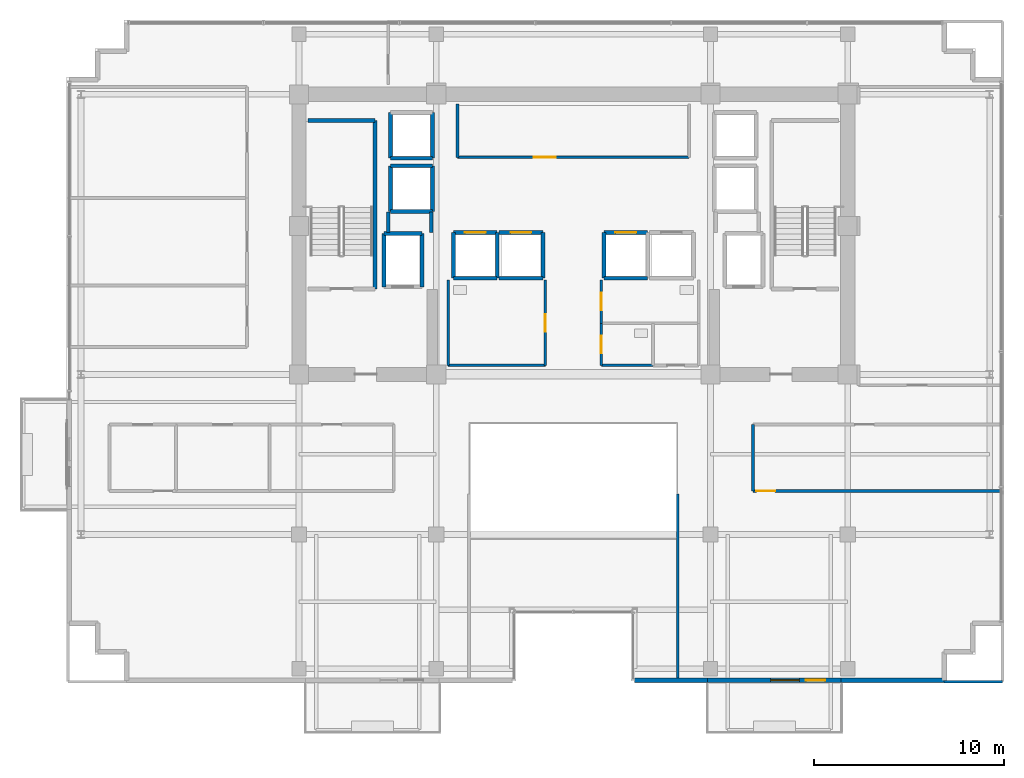
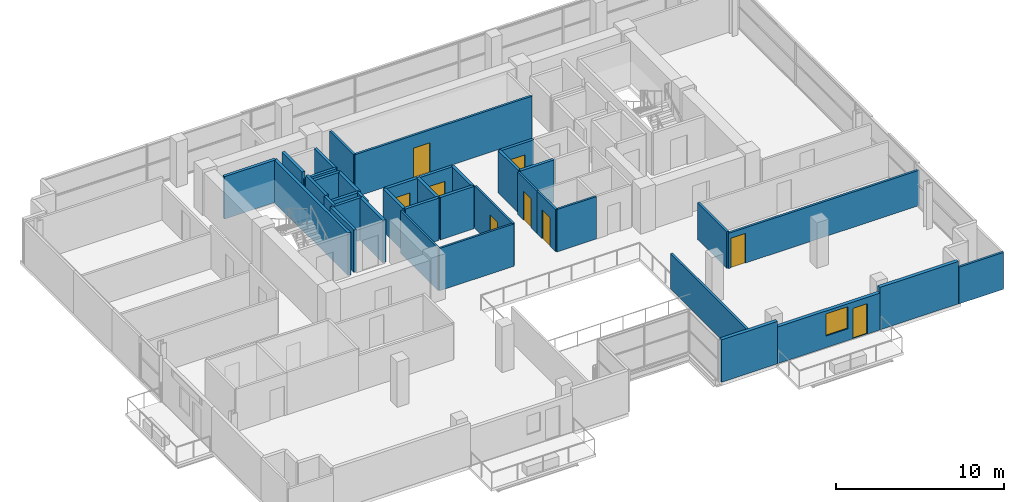
# One storey, part 15 of 21: 39 walls, 9 doors, 1 window, 10 openings.
"""IFC4 building model written with IfcOpenShell, lengths in metres."""

import ifcopenshell
import ifcopenshell.guid

model = None  # the IFC model being written
_history = None  # IfcOwnerHistory: only IFC2X3 demands one
_inside = {}  # id of a spatial element -> (the spatial element, [elements in it])
_under = {}  # id of a project, library or spatial element -> (it, [spatial elements below it])
_declared = {}  # id of a project -> (the project, [libraries it declares])
_typed = {}  # id of a type object -> (the type object, [elements of that type])
_made_of = {}  # id of a material, layer set ... -> (it, [elements and type objects made of it])


def new_model(schema):
    """Start an empty IFC model of exactly this schema.

    Asked for "IFC4X3", IfcOpenShell would pick the latest addendum, in which some entities
    have other attributes; the version numbers below select the first issue.
    IFC2X3 requires an IfcOwnerHistory on every rooted entity: one is made here for all.
    """
    global model, _history
    if schema == "IFC4X3":
        model = ifcopenshell.file(schema_version=(4, 3, 0, 0))
    else:
        model = ifcopenshell.file(schema=schema)
    _inside.clear()
    _under.clear()
    _declared.clear()
    _typed.clear()
    _made_of.clear()
    _history = None
    if model.schema == "IFC2X3":
        org = make("IfcOrganization", Name="unknown")
        user = make(
            "IfcPersonAndOrganization",
            ThePerson=make("IfcPerson", FamilyName="unknown"),
            TheOrganization=org,
        )
        app = make(
            "IfcApplication",
            ApplicationDeveloper=org,
            Version="unknown",
            ApplicationFullName="unknown",
            ApplicationIdentifier="unknown",
        )
        _history = make(
            "IfcOwnerHistory",
            OwningUser=user,
            OwningApplication=app,
            ChangeAction="ADDED",
            CreationDate=0,
        )
    return model


def make(cls, **values):
    """One entity of the class cls with the attributes given. An attribute that is None is left unset."""
    return model.create_entity(
        cls, **{name: value for name, value in values.items() if value is not None}
    )


def rooted(cls, **values):
    """An entity with a GlobalId (a new one), such as an element, a storey or a relation."""
    return make(cls, GlobalId=ifcopenshell.guid.new(), OwnerHistory=_history, **values)


def si_unit(unit_type, name, prefix=None):
    """IfcSIUnit, for example si_unit("LENGTHUNIT", "METRE", prefix="MILLI")."""
    return make("IfcSIUnit", UnitType=unit_type, Prefix=prefix, Name=name)


def assignment(units):
    """IfcUnitAssignment: the units of a project."""
    return None if units is None else make("IfcUnitAssignment", Units=units)


def point(xyz):
    """IfcCartesianPoint."""
    return None if xyz is None else make("IfcCartesianPoint", Coordinates=xyz)


def direction(xyz):
    """IfcDirection."""
    return None if xyz is None else make("IfcDirection", DirectionRatios=xyz)


def frame(location, z_axis=None, x_axis=None):
    """IfcAxis2Placement3D, a coordinate frame: its origin and axes. An axis left out is left unset."""
    return make(
        "IfcAxis2Placement3D",
        Location=point(location),
        Axis=direction(z_axis),
        RefDirection=direction(x_axis),
    )


def frame_2d(location, x_axis=None):
    """IfcAxis2Placement2D, a coordinate frame in the plane: its origin and x axis."""
    return make(
        "IfcAxis2Placement2D", Location=point(location), RefDirection=direction(x_axis)
    )


def origin():
    """The frame at (0, 0, 0) with its axes left unset."""
    return frame((0.0, 0.0, 0.0))


def place(relative_to, where):
    """IfcLocalPlacement: puts the frame where relative to a parent placement (None: the world)."""
    return make(
        "IfcLocalPlacement", PlacementRelTo=relative_to, RelativePlacement=where
    )


def context(
    kind, dimensions, precision=None, world=None, true_north=None, identifier=None
):
    """IfcGeometricRepresentationContext, for example the 3D "Model" context."""
    return make(
        "IfcGeometricRepresentationContext",
        ContextIdentifier=identifier,
        ContextType=kind,
        CoordinateSpaceDimension=dimensions,
        Precision=precision,
        WorldCoordinateSystem=world,
        TrueNorth=true_north,
    )


def subcontext(parent, identifier, kind, view, scale=None):
    """IfcGeometricRepresentationSubContext, for example "Body" below "Model"."""
    return make(
        "IfcGeometricRepresentationSubContext",
        ContextIdentifier=identifier,
        ContextType=kind,
        ParentContext=parent,
        TargetScale=scale,
        TargetView=view,
    )


def project(units=None, contexts=None):
    """IfcProject with its units and contexts."""
    return rooted(
        "IfcProject",
        Name="project",
        RepresentationContexts=contexts,
        UnitsInContext=assignment(units),
    )


def spatial(cls, under=None, at=None, **own):
    """A site, building, storey or space (cls), placed at a placement, below another one or the project."""
    s = rooted(cls, ObjectPlacement=at, **own)
    if under is not None:
        _under.setdefault(under.id(), (under, []))[1].append(s)
    return s


def profile(cls, at=None, kind="AREA", **sizes):
    """A parametric profile (cls). Its sizes go by their IFC names, for example OverallWidth=200.0."""
    return make(cls, ProfileType=kind, Position=at, **sizes)


def rectangle(**sizes):
    """IfcRectangleProfileDef."""
    return profile("IfcRectangleProfileDef", **sizes)


def extrude(swept, where, along, depth):
    """IfcExtrudedAreaSolid: the profile swept, set in the frame where, extruded along a direction by depth."""
    return make(
        "IfcExtrudedAreaSolid",
        SweptArea=swept,
        Position=where,
        ExtrudedDirection=direction(along),
        Depth=depth,
    )


def shape(context_of_items, identifier, shape_type, items):
    """IfcShapeRepresentation: the items that make up one representation, for example the "Body"."""
    return make(
        "IfcShapeRepresentation",
        ContextOfItems=context_of_items,
        RepresentationIdentifier=identifier,
        RepresentationType=shape_type,
        Items=items,
    )


def source(mapping_origin, context_of_items, identifier, shape_type, items):
    """IfcRepresentationMap: a shape defined once, which mapped items show again and again."""
    return make(
        "IfcRepresentationMap",
        MappingOrigin=mapping_origin,
        MappedRepresentation=shape(context_of_items, identifier, shape_type, items),
    )


def transform(
    local_origin,
    x_axis=None,
    y_axis=None,
    z_axis=None,
    scale=None,
    scale2=None,
    scale3=None,
    uniform=True,
):
    """IfcCartesianTransformationOperator3D, or its non-uniform kind. x_axis, y_axis, z_axis: its Axis1, 2, 3."""
    if uniform:
        return make(
            "IfcCartesianTransformationOperator3D",
            Axis1=direction(x_axis),
            Axis2=direction(y_axis),
            LocalOrigin=point(local_origin),
            Scale=scale,
            Axis3=direction(z_axis),
        )
    return make(
        "IfcCartesianTransformationOperator3DnonUniform",
        Axis1=direction(x_axis),
        Axis2=direction(y_axis),
        LocalOrigin=point(local_origin),
        Scale=scale,
        Axis3=direction(z_axis),
        Scale2=scale2,
        Scale3=scale3,
    )


def mapped(mapping_source, mapping_target):
    """IfcMappedItem: shows the shape of a source again, moved by a transform."""
    return make(
        "IfcMappedItem", MappingSource=mapping_source, MappingTarget=mapping_target
    )


def material(Name=None, Category=None):
    """IfcMaterial."""
    return make("IfcMaterial", Name=Name, Category=Category)


def layer(
    of_material, thickness, ventilated=None, Name=None, Category=None, Priority=None
):
    """IfcMaterialLayer: one layer of a wall or slab, of a material (None: an air gap)."""
    return make(
        "IfcMaterialLayer",
        Material=of_material,
        LayerThickness=thickness,
        IsVentilated=ventilated,
        Name=Name,
        Category=Category,
        Priority=Priority,
    )


def layer_set(layers, Name=None):
    """IfcMaterialLayerSet."""
    return make("IfcMaterialLayerSet", MaterialLayers=layers, LayerSetName=Name)


def made_of(thing, what):
    """Note that an element or type object is made of a material, layer set ...; save() writes the relation."""
    if what is not None:
        _made_of.setdefault(what.id(), (what, []))[1].append(thing)
    return thing


def type_object(cls, material=None, **own):
    """A type object (cls), such as IfcWallType, which elements share."""
    return made_of(rooted(cls, **own), material)


def element(
    cls,
    number,
    at=None,
    inside=None,
    cuts=None,
    type_object=None,
    material=None,
    context=None,
    identifier="Body",
    shape_type=None,
    held_by="IfcProductDefinitionShape",
    body=None,
    shapes=None,
    **own,
):
    """One element of the class cls, such as IfcWall. Its Tag is "e" and its number.

    at: its placement. inside: the storey or other place that contains it. cuts: it is an
    opening in that element (IfcRelVoidsElement). A single representation is given by context,
    identifier, shape_type and body (its items); several are given by shapes. held_by: the class
    of the entity that holds the representations. save() writes the other relations.
    """
    e = rooted(cls, Tag="e%d" % number, ObjectPlacement=at, **own)
    if body is not None:
        shapes = [shape(context, identifier, shape_type, body)]
    if shapes is not None:
        e.Representation = make(held_by, Representations=shapes)
    if inside is not None:
        _inside.setdefault(inside.id(), (inside, []))[1].append(e)
    if cuts is not None:
        rooted(
            "IfcRelVoidsElement", RelatingBuildingElement=cuts, RelatedOpeningElement=e
        )
    if type_object is not None:
        _typed.setdefault(type_object.id(), (type_object, []))[1].append(e)
    return made_of(e, material)


def fill(opening, filler):
    """IfcRelFillsElement: the door or window that sits in an opening."""
    return rooted(
        "IfcRelFillsElement",
        RelatingOpeningElement=opening,
        RelatedBuildingElement=filler,
    )


def aggregate(whole, parts):
    """IfcRelAggregates: a whole, such as a stair, and the parts it consists of."""
    return rooted("IfcRelAggregates", RelatingObject=whole, RelatedObjects=parts)


def save(model, path):
    """Write the relations noted so far, then the file.

    IfcRelAggregates (storeys below a building ...), IfcRelContainedInSpatialStructure (elements
    in a storey), IfcRelDefinesByType, IfcRelAssociatesMaterial and IfcRelDeclares: one each for
    every whole, place, type object, material and project.
    """
    for whole, parts in _under.values():
        aggregate(whole, parts)
    for where, things in _inside.values():
        rooted(
            "IfcRelContainedInSpatialStructure",
            RelatedElements=things,
            RelatingStructure=where,
        )
    for kind, things in _typed.values():
        rooted("IfcRelDefinesByType", RelatedObjects=things, RelatingType=kind)
    for what, things in _made_of.values():
        rooted("IfcRelAssociatesMaterial", RelatedObjects=things, RelatingMaterial=what)
    for by, libraries in _declared.values():
        rooted("IfcRelDeclares", RelatingContext=by, RelatedDefinitions=libraries)
    model.write(path)


model = new_model("IFC4")

# Units and contexts
model_context = context("Model", 3, precision=1e-05, world=origin(), true_north=direction((0.0, 1.0)))
body_context = subcontext(model_context, "Body", "Model", "MODEL_VIEW")
ifc_project = project(units=[si_unit("LENGTHUNIT", "METRE"), si_unit("AREAUNIT", "SQUARE_METRE"), si_unit("VOLUMEUNIT", "CUBIC_METRE"), si_unit("PLANEANGLEUNIT", "RADIAN"), si_unit("MASSUNIT", "GRAM", prefix="KILO")], contexts=[model_context])

# Site, building, storey
site_placement = place(None, origin())
site = spatial("IfcSite", under=ifc_project, at=site_placement, CompositionType="ELEMENT")
building_placement = place(site_placement, origin())
building = spatial("IfcBuilding", under=site, at=building_placement, Name="Zarnakvel Exchange Tower", CompositionType="ELEMENT")
storey_placement = place(building_placement, frame((0.0, 0.0, 166.0)))
storey = spatial("IfcBuildingStorey", under=building, at=storey_placement, Name="L46", CompositionType="ELEMENT", Elevation=166.0)

# Wall, openings, door, window
ifc_material_1 = material(Name="Precast concrete C40/50", Category="concrete")
ifc_layer_1 = layer(ifc_material_1, 0.239990234375)
ifc_layer_set_1 = layer_set([ifc_layer_1], Name="Precast concrete C40/50")
wall_type_1 = type_object("IfcWallType", Name="EW-02", PredefinedType="SOLIDWALL", material=ifc_layer_set_1)
wall_1_placement = place(storey_placement, frame((14.050048828125, -17.260009765625, 0.0), z_axis=(0.0, 0.0, 1.0), x_axis=(-1.0, 0.0, 0.0)))
wall_1 = element("IfcWall", 1, at=wall_1_placement, inside=storey, type_object=wall_type_1, Name="L46 Exterior Precast Spandrel Wall EW-BAL-L46-SE (EW-02)", PredefinedType="SOLIDWALL", context=body_context, shape_type="SweptSolid", body=[
    extrude(rectangle(XDim=7.0, YDim=0.239990234375, at=frame_2d((3.5, 0.0))), origin(), (0.0, 0.0, 1.0), 2.6650390625),
])
opening_1_placement = place(wall_1_placement, frame((0.840087890625, 0.0, 0.0)))
opening_1 = element("IfcOpeningElement", 2, at=opening_1_placement, cuts=wall_1, Name="Opening BD-L46-02", PredefinedType="OPENING", context=body_context, shape_type="SweptSolid", body=[
    extrude(rectangle(XDim=1.0, YDim=2.199951171875, at=frame_2d((0.5, 1.10009765625))), frame((0.0, 0.1298828125, 0.0), z_axis=(0.0, -1.0, 0.0), x_axis=(1.0, 0.0, 0.0)), (0.0, 0.0, 1.0), 0.260009765625),
])
opening_2_placement = place(wall_1_placement, frame((2.18994140625, 0.0, 0.85009765625)))
opening_2 = element("IfcOpeningElement", 3, at=opening_2_placement, cuts=wall_1, Name="Opening WN-03", PredefinedType="OPENING", context=body_context, shape_type="SweptSolid", body=[
    extrude(rectangle(XDim=1.5, YDim=1.60009765625, at=frame_2d((0.75, 0.800048828125))), frame((0.0, 0.1298828125, 0.0), z_axis=(0.0, -1.0, 0.0), x_axis=(1.0, 0.0, 0.0)), (0.0, 0.0, 1.0), 0.260009765625),
])
ifc_material_2 = material(Name="Architectural Bronze Anodised Aluminium", Category="aluminium")
door_type_1 = type_object("IfcDoorType", Name="DT-09", OperationType="NOTDEFINED", PredefinedType="DOOR", material=ifc_material_2)
shared_shape_1 = source(origin(), body_context, "Body", "SweptSolid", [
    extrude(rectangle(XDim=1.0, YDim=2.199951171875, at=frame_2d((0.5, 1.10009765625))), frame((0.0, 0.02490234375, 0.0), z_axis=(0.0, -1.0, 0.0), x_axis=(1.0, 0.0, 0.0)), (0.0, 0.0, 1.0), 0.050048828125),
])
door_1_placement = place(opening_1_placement, origin())
door_1 = element("IfcDoor", 4, at=door_1_placement, inside=storey, type_object=door_type_1, Name="L46 Planted Loggia Balcony Door BD-L46-02", OperationType="SINGLE_SWING_LEFT", OverallHeight=2.199951171875, OverallWidth=1.0, PredefinedType="DOOR", context=body_context, shape_type="MappedRepresentation", body=[
    mapped(shared_shape_1, transform((0.0, 0.0, 0.0), x_axis=(1.0, 0.0, 0.0), y_axis=(0.0, 1.0, 0.0), z_axis=(0.0, 0.0, 1.0), scale=1.0)),
])
fill(opening_1, door_1)
ifc_material_3 = material(Name="Double Low-E Laminated Vision Glass", Category="glass")
window_type = type_object("IfcWindowType", Name="WN-03", PartitioningType="SINGLE_PANEL", PredefinedType="WINDOW", material=ifc_material_3)
shared_shape_2 = source(origin(), body_context, "Body", "SweptSolid", [
    extrude(rectangle(XDim=1.5, YDim=1.60009765625, at=frame_2d((0.75, 0.800048828125))), frame((0.0, 0.030029296875, 0.0), z_axis=(0.0, -1.0, 0.0), x_axis=(1.0, 0.0, 0.0)), (0.0, 0.0, 1.0), 0.06005859375),
])
window_placement = place(opening_2_placement, origin())
window = element("IfcWindow", 5, at=window_placement, inside=storey, type_object=window_type, Name="L46 Loggia Daylight Window (WN-03)", OverallHeight=1.60009765625, OverallWidth=1.5, PartitioningType="SINGLE_PANEL", PredefinedType="WINDOW", context=body_context, shape_type="MappedRepresentation", body=[
    mapped(shared_shape_2, transform((0.0, 0.0, 0.0), x_axis=(1.0, 0.0, 0.0), y_axis=(0.0, 1.0, 0.0), z_axis=(0.0, 0.0, 1.0), scale=1.0)),
])
fill(opening_2, window)

# Walls
wall_2_placement = place(storey_placement, frame((14.050048828125, -17.260009765625, 0.0), z_axis=(0.0, 0.0, 1.0), x_axis=(1.0, 0.0, 0.0)))
element("IfcWall", 6, at=wall_2_placement, inside=storey, type_object=wall_type_1, Name="L46 Exterior Precast Spandrel Wall EWC-L46-15 (EW-02)", PredefinedType="SOLIDWALL", context=body_context, shape_type="SweptSolid", body=[
    extrude(rectangle(XDim=5.409912109375, YDim=0.239990234375, at=frame_2d((2.705078125, 0.0))), origin(), (0.0, 0.0, 1.0), 3.074951171875),
])
wall_3_placement = place(storey_placement, frame((3.199951171875, -17.260009765625, 0.0), z_axis=(0.0, 0.0, 1.0), x_axis=(1.0, 0.0, 0.0)))
element("IfcWall", 7, at=wall_3_placement, inside=storey, type_object=wall_type_1, Name="L46 Exterior Precast Spandrel Wall EWC-L46-16 (EW-02)", PredefinedType="SOLIDWALL", context=body_context, shape_type="SweptSolid", body=[
    extrude(rectangle(XDim=3.85009765625, YDim=0.239990234375, at=frame_2d((1.925048828125, 0.0))), origin(), (0.0, 0.0, 1.0), 3.074951171875),
])

# Wall, opening, door
ifc_material_4 = material(Name="Fire-Rated Gypsum Stud Partition", Category="gypsum")
ifc_layer_2 = layer(ifc_material_4, 0.14990234375)
ifc_layer_set_2 = layer_set([ifc_layer_2], Name="Fire-Rated Gypsum Stud Partition")
wall_type_2 = type_object("IfcWallType", Name="PT-01", PredefinedType="PARTITIONING", material=ifc_layer_set_2)
wall_4_placement = place(storey_placement, frame((6.080078125, 10.199951171875, 0.0), z_axis=(0.0, 0.0, 1.0), x_axis=(-1.0, 0.0, 0.0)))
wall_4 = element("IfcWall", 8, at=wall_4_placement, inside=storey, type_object=wall_type_2, Name="L46 Partition Wall PWALL-L46-011 (PT-01)", PredefinedType="PARTITIONING", context=body_context, shape_type="SweptSolid", body=[
    extrude(rectangle(XDim=12.16015625, YDim=0.14990234375, at=frame_2d((6.080078125, 0.0))), origin(), (0.0, 0.0, 1.0), 3.074951171875),
])
opening_3_placement = place(wall_4_placement, frame((7.0048828125, 0.0, 0.0)))
opening_3 = element("IfcOpeningElement", 9, at=opening_3_placement, cuts=wall_4, Name="Opening D-L46-05", PredefinedType="OPENING", context=body_context, shape_type="SweptSolid", body=[
    extrude(rectangle(XDim=1.14990234375, YDim=2.14990234375, at=frame_2d((0.574951171875, 1.074951171875))), frame((0.0, 0.0849609375, 0.0), z_axis=(0.0, -1.0, 0.0), x_axis=(1.0, 0.0, 0.0)), (0.0, 0.0, 1.0), 0.169921875),
])
ifc_material_5 = material(Name="Painted Galvanised Steel S355", Category="steel")
door_type_2 = type_object("IfcDoorType", Name="DT-04", OperationType="NOTDEFINED", PredefinedType="DOOR", material=ifc_material_5)
shared_shape_3 = source(origin(), body_context, "Body", "SweptSolid", [
    extrude(rectangle(XDim=1.14990234375, YDim=2.14990234375, at=frame_2d((0.574951171875, 1.074951171875))), frame((0.0, 0.02490234375, 0.0), z_axis=(0.0, -1.0, 0.0), x_axis=(1.0, 0.0, 0.0)), (0.0, 0.0, 1.0), 0.050048828125),
])
door_2_placement = place(opening_3_placement, origin())
door_2 = element("IfcDoor", 10, at=door_2_placement, inside=storey, type_object=door_type_2, Name="L46 Market Data Archive Suite Door D-L46-05", OperationType="SINGLE_SWING_RIGHT", OverallHeight=2.14990234375, OverallWidth=1.14990234375, PredefinedType="DOOR", context=body_context, shape_type="MappedRepresentation", body=[
    mapped(shared_shape_3, transform((0.0, 0.0, 0.0), x_axis=(1.0, 0.0, 0.0), y_axis=(0.0, 1.0, 0.0), z_axis=(0.0, 0.0, 1.0), scale=1.0)),
])
fill(opening_3, door_2)

# Wall
wall_5_placement = place(storey_placement, frame((-6.080078125, 10.199951171875, 0.0), z_axis=(0.0, 0.0, 1.0), x_axis=(0.0, 1.0, 0.0)))
element("IfcWall", 11, at=wall_5_placement, inside=storey, type_object=wall_type_2, Name="L46 Partition Wall PWALL-L46-012 (PT-01)", PredefinedType="PARTITIONING", context=body_context, shape_type="SweptSolid", body=[
    extrude(rectangle(XDim=2.800048828125, YDim=0.14990234375, at=frame_2d((1.39990234375, 0.0))), origin(), (0.0, 0.0, 1.0), 3.074951171875),
])

# Wall, opening, door
wall_6_placement = place(storey_placement, frame((22.530029296875, -7.320068359375, 0.0), z_axis=(0.0, 0.0, 1.0), x_axis=(-1.0, 0.0, 0.0)))
wall_6 = element("IfcWall", 12, at=wall_6_placement, inside=storey, type_object=wall_type_2, Name="L46 Partition Wall PWALL-L46-038 (PT-01)", PredefinedType="PARTITIONING", context=body_context, shape_type="SweptSolid", body=[
    extrude(rectangle(XDim=13.10009765625, YDim=0.14990234375, at=frame_2d((6.550048828125, 0.0))), origin(), (0.0, 0.0, 1.0), 2.56494140625),
])
opening_4_placement = place(wall_6_placement, frame((11.93994140625, 0.0, 0.0)))
opening_4 = element("IfcOpeningElement", 13, at=opening_4_placement, cuts=wall_6, Name="Opening D-L46-15", PredefinedType="OPENING", context=body_context, shape_type="SweptSolid", body=[
    extrude(rectangle(XDim=0.97998046875, YDim=2.14990234375, at=frame_2d((0.489990234375, 1.074951171875))), frame((0.0, 0.0849609375, 0.0), z_axis=(0.0, -1.0, 0.0), x_axis=(1.0, 0.0, 0.0)), (0.0, 0.0, 1.0), 0.169921875),
])
ifc_material_6 = material(Name="Timber Acoustic Veneer", Category="wood")
door_type_3 = type_object("IfcDoorType", Name="DT-05", OperationType="NOTDEFINED", PredefinedType="DOOR", material=ifc_material_6)
shared_shape_4 = source(origin(), body_context, "Body", "SweptSolid", [
    extrude(rectangle(XDim=0.97998046875, YDim=2.14990234375, at=frame_2d((0.489990234375, 1.074951171875))), frame((0.0, 0.02490234375, 0.0), z_axis=(0.0, -1.0, 0.0), x_axis=(1.0, 0.0, 0.0)), (0.0, 0.0, 1.0), 0.050048828125),
])
door_3_placement = place(opening_4_placement, origin())
door_3 = element("IfcDoor", 14, at=door_3_placement, inside=storey, type_object=door_type_3, Name="L46 Quant Research Office Door D-L46-15", OperationType="SINGLE_SWING_RIGHT", OverallHeight=2.14990234375, OverallWidth=0.97998046875, PredefinedType="DOOR", context=body_context, shape_type="MappedRepresentation", body=[
    mapped(shared_shape_4, transform((0.0, 0.0, 0.0), x_axis=(1.0, 0.0, 0.0), y_axis=(0.0, 1.0, 0.0), z_axis=(0.0, 0.0, 1.0), scale=1.0)),
])
fill(opening_4, door_3)

# Walls
wall_7_placement = place(storey_placement, frame((9.429931640625, -7.320068359375, 0.0), z_axis=(0.0, 0.0, 1.0), x_axis=(0.0, 1.0, 0.0)))
element("IfcWall", 15, at=wall_7_placement, inside=storey, type_object=wall_type_2, Name="L46 Partition Wall PWALL-L46-040 (PT-01)", PredefinedType="PARTITIONING", context=body_context, shape_type="SweptSolid", body=[
    extrude(rectangle(XDim=3.489990234375, YDim=0.14990234375, at=frame_2d((1.7451171875, 0.0))), origin(), (0.0, 0.0, 1.0), 2.6650390625),
])
wall_8_placement = place(storey_placement, frame((22.530029296875, -17.330078125, 0.0), z_axis=(0.0, 0.0, 1.0), x_axis=(-1.0, 0.0, 0.0)))
element("IfcWall", 16, at=wall_8_placement, inside=storey, type_object=wall_type_2, Name="L46 Partition Wall PWALL-L46-042 (PT-01)", PredefinedType="PARTITIONING", context=body_context, shape_type="SweptSolid", body=[
    extrude(rectangle(XDim=3.070068359375, YDim=0.14990234375, at=frame_2d((1.53515625, 0.0))), origin(), (0.0, 0.0, 1.0), 2.6650390625),
])
wall_9_placement = place(storey_placement, frame((5.47998046875, -17.330078125, 0.0), z_axis=(0.0, 0.0, 1.0), x_axis=(0.0, 1.0, 0.0)))
element("IfcWall", 17, at=wall_9_placement, inside=storey, type_object=wall_type_2, Name="L46 Partition Wall PWALL-L46-043 (PT-01)", PredefinedType="PARTITIONING", context=body_context, shape_type="SweptSolid", body=[
    extrude(rectangle(XDim=9.85009765625, YDim=0.14990234375, at=frame_2d((4.925048828125, 0.0))), origin(), (0.0, 0.0, 1.0), 2.56494140625),
])
ifc_layer_3 = layer(ifc_material_4, 0.179931640625)
ifc_layer_set_3 = layer_set([ifc_layer_3], Name="Fire-Rated Gypsum Stud Partition")
wall_type_3 = type_object("IfcWallType", Name="PT-02", PredefinedType="PARTITIONING", material=ifc_layer_set_3)
wall_10_placement = place(storey_placement, frame((-9.72998046875, 6.239990234375, 0.0), z_axis=(0.0, 0.0, 1.0), x_axis=(0.0, 1.0, 0.0)))
element("IfcWall", 18, at=wall_10_placement, inside=storey, type_object=wall_type_3, Name="L46 Partition Wall PWALL-L46-007 (PT-02)", PredefinedType="PARTITIONING", context=body_context, shape_type="SweptSolid", body=[
    extrude(rectangle(XDim=1.090087890625, YDim=0.179931640625, at=frame_2d((0.544921875, 0.0))), origin(), (0.0, 0.0, 1.0), 3.074951171875),
])
wall_11_placement = place(storey_placement, frame((-7.469970703125, 7.330078125, 0.0), z_axis=(0.0, 0.0, 1.0), x_axis=(0.0, -1.0, 0.0)))
element("IfcWall", 19, at=wall_11_placement, inside=storey, type_object=wall_type_3, Name="L46 Partition Wall PWALL-L46-008 (PT-02)", PredefinedType="PARTITIONING", context=body_context, shape_type="SweptSolid", body=[
    extrude(rectangle(XDim=1.090087890625, YDim=0.179931640625, at=frame_2d((0.544921875, 0.0))), origin(), (0.0, 0.0, 1.0), 2.56494140625),
])
ifc_material_7 = material(Name="Moisture-Resistant Tile-Faced Partition", Category="gypsum")
ifc_layer_4 = layer(ifc_material_7, 0.135009765625)
ifc_layer_set_4 = layer_set([ifc_layer_4], Name="Moisture-Resistant Tile-Faced Partition")
wall_type_4 = type_object("IfcWallType", Name="PT-03", PredefinedType="PARTITIONING", material=ifc_layer_set_4)
wall_12_placement = place(storey_placement, frame((-1.469970703125, -0.72998046875, 0.0), z_axis=(0.0, 0.0, 1.0), x_axis=(-1.0, 0.0, 0.0)))
element("IfcWall", 20, at=wall_12_placement, inside=storey, type_object=wall_type_4, Name="L46 Partition Wall PWALL-L46-014 (PT-03)", PredefinedType="PARTITIONING", context=body_context, shape_type="SweptSolid", body=[
    extrude(rectangle(XDim=5.110107421875, YDim=0.135009765625, at=frame_2d((2.55517578125, 0.0))), origin(), (0.0, 0.0, 1.0), 3.074951171875),
])
wall_13_placement = place(storey_placement, frame((-6.580078125, -0.72998046875, 0.0), z_axis=(0.0, 0.0, 1.0), x_axis=(0.0, 1.0, 0.0)))
element("IfcWall", 21, at=wall_13_placement, inside=storey, type_object=wall_type_4, Name="L46 Partition Wall PWALL-L46-015 (PT-03)", PredefinedType="PARTITIONING", context=body_context, shape_type="SweptSolid", body=[
    extrude(rectangle(XDim=4.489990234375, YDim=0.135009765625, at=frame_2d((2.2451171875, 0.0))), origin(), (0.0, 0.0, 1.0), 3.074951171875),
])

# Wall, opening, door
wall_14_placement = place(storey_placement, frame((-1.469970703125, 3.760009765625, 0.0), z_axis=(0.0, 0.0, 1.0), x_axis=(0.0, -1.0, 0.0)))
wall_14 = element("IfcWall", 22, at=wall_14_placement, inside=storey, type_object=wall_type_4, Name="L46 Partition Wall PWALL-L46-016 (PT-03)", PredefinedType="PARTITIONING", context=body_context, shape_type="SweptSolid", body=[
    extrude(rectangle(XDim=4.489990234375, YDim=0.135009765625, at=frame_2d((2.2451171875, 0.0))), origin(), (0.0, 0.0, 1.0), 3.074951171875),
])
opening_5_placement = place(wall_14_placement, frame((1.800048828125, 0.0, 0.0)))
opening_5 = element("IfcOpeningElement", 23, at=opening_5_placement, cuts=wall_14, Name="Opening D-L46-06", PredefinedType="OPENING", context=body_context, shape_type="SweptSolid", body=[
    extrude(rectangle(XDim=0.919921875, YDim=2.10009765625, at=frame_2d((0.4599609375, 1.050048828125))), frame((0.0, 0.077392578125, 0.0), z_axis=(0.0, -1.0, 0.0), x_axis=(1.0, 0.0, 0.0)), (0.0, 0.0, 1.0), 0.155029296875),
])
ifc_material_8 = material(Name="Moisture-Resistant Laminate Timber", Category="wood")
door_type_4 = type_object("IfcDoorType", Name="DT-07", OperationType="NOTDEFINED", PredefinedType="DOOR", material=ifc_material_8)
shared_shape_5 = source(origin(), body_context, "Body", "SweptSolid", [
    extrude(rectangle(XDim=0.919921875, YDim=2.10009765625, at=frame_2d((0.4599609375, 1.050048828125))), frame((0.0, 0.02490234375, 0.0), z_axis=(0.0, -1.0, 0.0), x_axis=(1.0, 0.0, 0.0)), (0.0, 0.0, 1.0), 0.050048828125),
])
door_4_placement = place(opening_5_placement, origin())
door_4 = element("IfcDoor", 24, at=door_4_placement, inside=storey, type_object=door_type_4, Name="L46 Male Toilet Door D-L46-06", OperationType="SINGLE_SWING_LEFT", OverallHeight=2.10009765625, OverallWidth=0.919921875, PredefinedType="DOOR", context=body_context, shape_type="MappedRepresentation", body=[
    mapped(shared_shape_5, transform((0.0, 0.0, 0.0), x_axis=(1.0, 0.0, 0.0), y_axis=(0.0, 1.0, 0.0), z_axis=(0.0, 0.0, 1.0), scale=1.0)),
])
fill(opening_5, door_4)

wall_15_placement = place(storey_placement, frame((1.469970703125, 1.47998046875, 0.0), z_axis=(0.0, 0.0, 1.0), x_axis=(0.0, 1.0, 0.0)))
wall_15 = element("IfcWall", 25, at=wall_15_placement, inside=storey, type_object=wall_type_4, Name="L46 Partition Wall PWALL-L46-018 (PT-03)", PredefinedType="PARTITIONING", context=body_context, shape_type="SweptSolid", body=[
    extrude(rectangle(XDim=2.280029296875, YDim=0.135009765625, at=frame_2d((1.14013671875, 0.0))), origin(), (0.0, 0.0, 1.0), 3.074951171875),
])
opening_6_placement = place(wall_15_placement, frame((0.679931640625, 0.0, 0.0)))
opening_6 = element("IfcOpeningElement", 26, at=opening_6_placement, cuts=wall_15, Name="Opening D-L46-07", PredefinedType="OPENING", context=body_context, shape_type="SweptSolid", body=[
    extrude(rectangle(XDim=0.919921875, YDim=2.10009765625, at=frame_2d((0.4599609375, 1.050048828125))), frame((0.0, 0.077392578125, 0.0), z_axis=(0.0, -1.0, 0.0), x_axis=(1.0, 0.0, 0.0)), (0.0, 0.0, 1.0), 0.155029296875),
])
door_5_placement = place(opening_6_placement, origin())
door_5 = element("IfcDoor", 27, at=door_5_placement, inside=storey, type_object=door_type_4, Name="L46 Female Toilet Door D-L46-07", OperationType="SINGLE_SWING_RIGHT", OverallHeight=2.10009765625, OverallWidth=0.919921875, PredefinedType="DOOR", context=body_context, shape_type="MappedRepresentation", body=[
    mapped(shared_shape_5, transform((0.0, 0.0, 0.0), x_axis=(1.0, 0.0, 0.0), y_axis=(0.0, 1.0, 0.0), z_axis=(0.0, 0.0, 1.0), scale=1.0)),
])
fill(opening_6, door_5)

# Wall
wall_16_placement = place(storey_placement, frame((4.179931640625, -0.72998046875, 0.0), z_axis=(0.0, 0.0, 1.0), x_axis=(-1.0, 0.0, 0.0)))
element("IfcWall", 28, at=wall_16_placement, inside=storey, type_object=wall_type_4, Name="L46 Partition Wall PWALL-L46-020 (PT-03)", PredefinedType="PARTITIONING", context=body_context, shape_type="SweptSolid", body=[
    extrude(rectangle(XDim=2.7099609375, YDim=0.135009765625, at=frame_2d((1.35498046875, 0.0))), origin(), (0.0, 0.0, 1.0), 3.074951171875),
])

# Wall, opening, door
wall_17_placement = place(storey_placement, frame((1.469970703125, -0.72998046875, 0.0), z_axis=(0.0, 0.0, 1.0), x_axis=(0.0, 1.0, 0.0)))
wall_17 = element("IfcWall", 29, at=wall_17_placement, inside=storey, type_object=wall_type_4, Name="L46 Partition Wall PWALL-L46-021 (PT-03)", PredefinedType="PARTITIONING", context=body_context, shape_type="SweptSolid", body=[
    extrude(rectangle(XDim=2.2099609375, YDim=0.135009765625, at=frame_2d((1.10498046875, 0.0))), origin(), (0.0, 0.0, 1.0), 3.074951171875),
])
opening_7_placement = place(wall_17_placement, frame((0.64990234375, 0.0, 0.0)))
opening_7 = element("IfcOpeningElement", 30, at=opening_7_placement, cuts=wall_17, Name="Opening D-L46-08", PredefinedType="OPENING", context=body_context, shape_type="SweptSolid", body=[
    extrude(rectangle(XDim=0.919921875, YDim=2.10009765625, at=frame_2d((0.4599609375, 1.050048828125))), frame((0.0, 0.077392578125, 0.0), z_axis=(0.0, -1.0, 0.0), x_axis=(1.0, 0.0, 0.0)), (0.0, 0.0, 1.0), 0.155029296875),
])
door_6_placement = place(opening_7_placement, origin())
door_6 = element("IfcDoor", 31, at=door_6_placement, inside=storey, type_object=door_type_4, Name="L46 Accessible Toilet Door D-L46-08", OperationType="SINGLE_SWING_LEFT", OverallHeight=2.10009765625, OverallWidth=0.919921875, PredefinedType="DOOR", context=body_context, shape_type="MappedRepresentation", body=[
    mapped(shared_shape_5, transform((0.0, 0.0, 0.0), x_axis=(1.0, 0.0, 0.0), y_axis=(0.0, 1.0, 0.0), z_axis=(0.0, 0.0, 1.0), scale=1.0)),
])
fill(opening_7, door_6)

# Walls
ifc_material_9 = material(Name="Concrete C40/50", Category="concrete")
ifc_layer_5 = layer(ifc_material_9, 0.199951171875)
ifc_layer_set_5 = layer_set([ifc_layer_5], Name="Concrete C40/50")
wall_type_5 = type_object("IfcWallType", Name="SW-01", PredefinedType="SOLIDWALL", material=ifc_layer_set_5)
wall_18_placement = place(storey_placement, frame((-9.949951171875, 6.199951171875, 0.0), z_axis=(0.0, 0.0, 1.0), x_axis=(1.0, 0.0, 0.0)))
element("IfcWall", 32, at=wall_18_placement, inside=storey, type_object=wall_type_5, Name="L46 FL-01 Hoistway Wall North", PredefinedType="SOLIDWALL", context=body_context, shape_type="SweptSolid", body=[
    extrude(rectangle(XDim=2.0, YDim=0.199951171875, at=frame_2d((1.0, 0.0))), origin(), (0.0, 0.0, 1.0), 3.074951171875),
])
for number, where, z_axis, x_axis, name in (
    (33, (-9.949951171875, 3.39990234375, 0.0), (0.0, 0.0, 1.0), (0.0, 1.0, 0.0), "L46 FL-01 Hoistway Wall West"),
    (34, (-7.949951171875, 6.199951171875, 0.0), (0.0, 0.0, 1.0), (0.0, -1.0, 0.0), "L46 FL-01 Hoistway Wall East"),
):
    element("IfcWall", number, at=place(storey_placement, frame(where, z_axis=z_axis, x_axis=x_axis)), inside=storey, type_object=wall_type_5, Name=name, PredefinedType="SOLIDWALL", context=body_context, shape_type="SweptSolid", body=[
        extrude(rectangle(XDim=2.800048828125, YDim=0.199951171875, at=frame_2d((1.39990234375, 0.0))), origin(), (0.0, 0.0, 1.0), 3.074951171875),
    ])
wall_19_placement = place(storey_placement, frame((-4.0, 3.85009765625, 0.0), z_axis=(0.0, 0.0, 1.0), x_axis=(-1.0, 0.0, 0.0)))
element("IfcWall", 35, at=wall_19_placement, inside=storey, type_object=wall_type_5, Name="L46 PL-05 Hoistway Wall South", PredefinedType="SOLIDWALL", context=body_context, shape_type="SweptSolid", body=[
    extrude(rectangle(XDim=2.300048828125, YDim=0.199951171875, at=frame_2d((1.14990234375, 0.0))), origin(), (0.0, 0.0, 1.0), 3.074951171875),
])

# Wall, opening, door
wall_20_placement = place(storey_placement, frame((-6.300048828125, 6.25, 0.0), z_axis=(0.0, 0.0, 1.0), x_axis=(1.0, 0.0, 0.0)))
wall_20 = element("IfcWall", 36, at=wall_20_placement, inside=storey, type_object=wall_type_5, Name="L46 PL-05 Hoistway Wall North", PredefinedType="SOLIDWALL", context=body_context, shape_type="SweptSolid", body=[
    extrude(rectangle(XDim=2.300048828125, YDim=0.199951171875, at=frame_2d((1.14990234375, 0.0))), origin(), (0.0, 0.0, 1.0), 3.074951171875),
])
opening_8_placement = place(wall_20_placement, frame((0.60009765625, 0.0, 0.0)))
opening_8 = element("IfcOpeningElement", 37, at=opening_8_placement, cuts=wall_20, Name="Opening LD-PL-05-L46", PredefinedType="OPENING", context=body_context, shape_type="SweptSolid", body=[
    extrude(rectangle(XDim=1.10009765625, YDim=2.199951171875, at=frame_2d((0.550048828125, 1.10009765625))), frame((0.0, 0.10986328125, 0.0), z_axis=(0.0, -1.0, 0.0), x_axis=(1.0, 0.0, 0.0)), (0.0, 0.0, 1.0), 0.219970703125),
])
door_type_5 = type_object("IfcDoorType", Name="LDT-02", OperationType="NOTDEFINED", PredefinedType="DOOR", material=ifc_material_2)
shared_shape_6 = source(origin(), body_context, "Body", "SweptSolid", [
    extrude(rectangle(XDim=1.10009765625, YDim=2.199951171875, at=frame_2d((0.550048828125, 1.10009765625))), frame((0.0, 0.02490234375, 0.0), z_axis=(0.0, -1.0, 0.0), x_axis=(1.0, 0.0, 0.0)), (0.0, 0.0, 1.0), 0.050048828125),
])
door_7_placement = place(opening_8_placement, origin())
door_7 = element("IfcDoor", 38, at=door_7_placement, inside=storey, type_object=door_type_5, Name="L46 PL-05 Lift Landing Door LD-PL-05-L46", OperationType="DOUBLE_DOOR_SLIDING", OverallHeight=2.199951171875, OverallWidth=1.10009765625, PredefinedType="DOOR", context=body_context, shape_type="MappedRepresentation", body=[
    mapped(shared_shape_6, transform((0.0, 0.0, 0.0), x_axis=(1.0, 0.0, 0.0), y_axis=(0.0, 1.0, 0.0), z_axis=(0.0, 0.0, 1.0), scale=1.0)),
])
fill(opening_8, door_7)

# Walls
for number, where, z_axis, x_axis, name in (
    (39, (-6.300048828125, 3.85009765625, 0.0), (0.0, 0.0, 1.0), (0.0, 1.0, 0.0), "L46 PL-05 Hoistway Wall West"),
    (40, (-4.0, 6.25, 0.0), (0.0, 0.0, 1.0), (0.0, -1.0, 0.0), "L46 PL-05 Hoistway Wall East"),
):
    element("IfcWall", number, at=place(storey_placement, frame(where, z_axis=z_axis, x_axis=x_axis)), inside=storey, type_object=wall_type_5, Name=name, PredefinedType="SOLIDWALL", context=body_context, shape_type="SweptSolid", body=[
        extrude(rectangle(XDim=2.39990234375, YDim=0.199951171875, at=frame_2d((1.199951171875, 0.0))), origin(), (0.0, 0.0, 1.0), 3.074951171875),
    ])
wall_21_placement = place(storey_placement, frame((-1.60009765625, 3.85009765625, 0.0), z_axis=(0.0, 0.0, 1.0), x_axis=(-1.0, 0.0, 0.0)))
element("IfcWall", 41, at=wall_21_placement, inside=storey, type_object=wall_type_5, Name="L46 PL-06 Hoistway Wall South", PredefinedType="SOLIDWALL", context=body_context, shape_type="SweptSolid", body=[
    extrude(rectangle(XDim=2.2998046875, YDim=0.199951171875, at=frame_2d((1.14990234375, 0.0))), origin(), (0.0, 0.0, 1.0), 3.074951171875),
])

# Wall, opening, door
wall_22_placement = place(storey_placement, frame((-3.89990234375, 6.25, 0.0), z_axis=(0.0, 0.0, 1.0), x_axis=(1.0, 0.0, 0.0)))
wall_22 = element("IfcWall", 42, at=wall_22_placement, inside=storey, type_object=wall_type_5, Name="L46 PL-06 Hoistway Wall North", PredefinedType="SOLIDWALL", context=body_context, shape_type="SweptSolid", body=[
    extrude(rectangle(XDim=2.2998046875, YDim=0.199951171875, at=frame_2d((1.14990234375, 0.0))), origin(), (0.0, 0.0, 1.0), 3.074951171875),
])
opening_9_placement = place(wall_22_placement, frame((0.60009765625, 0.0, 0.0)))
opening_9 = element("IfcOpeningElement", 43, at=opening_9_placement, cuts=wall_22, Name="Opening LD-PL-06-L46", PredefinedType="OPENING", context=body_context, shape_type="SweptSolid", body=[
    extrude(rectangle(XDim=1.10009765625, YDim=2.199951171875, at=frame_2d((0.550048828125, 1.10009765625))), frame((0.0, 0.10986328125, 0.0), z_axis=(0.0, -1.0, 0.0), x_axis=(1.0, 0.0, 0.0)), (0.0, 0.0, 1.0), 0.219970703125),
])
door_8_placement = place(opening_9_placement, origin())
door_8 = element("IfcDoor", 44, at=door_8_placement, inside=storey, type_object=door_type_5, Name="L46 PL-06 Lift Landing Door LD-PL-06-L46", OperationType="DOUBLE_DOOR_SLIDING", OverallHeight=2.199951171875, OverallWidth=1.10009765625, PredefinedType="DOOR", context=body_context, shape_type="MappedRepresentation", body=[
    mapped(shared_shape_6, transform((0.0, 0.0, 0.0), x_axis=(1.0, 0.0, 0.0), y_axis=(0.0, 1.0, 0.0), z_axis=(0.0, 0.0, 1.0), scale=1.0)),
])
fill(opening_9, door_8)

# Walls
wall_23_placement = place(storey_placement, frame((-1.60009765625, 6.25, 0.0), z_axis=(0.0, 0.0, 1.0), x_axis=(0.0, -1.0, 0.0)))
element("IfcWall", 45, at=wall_23_placement, inside=storey, type_object=wall_type_5, Name="L46 PL-06 Hoistway Wall East", PredefinedType="SOLIDWALL", context=body_context, shape_type="SweptSolid", body=[
    extrude(rectangle(XDim=2.39990234375, YDim=0.199951171875, at=frame_2d((1.199951171875, 0.0))), origin(), (0.0, 0.0, 1.0), 3.074951171875),
])
wall_24_placement = place(storey_placement, frame((3.89990234375, 3.85009765625, 0.0), z_axis=(0.0, 0.0, 1.0), x_axis=(-1.0, 0.0, 0.0)))
element("IfcWall", 46, at=wall_24_placement, inside=storey, type_object=wall_type_5, Name="L46 PL-07 Hoistway Wall South", PredefinedType="SOLIDWALL", context=body_context, shape_type="SweptSolid", body=[
    extrude(rectangle(XDim=2.2998046875, YDim=0.199951171875, at=frame_2d((1.14990234375, 0.0))), origin(), (0.0, 0.0, 1.0), 3.074951171875),
])

# Wall, opening, door
wall_25_placement = place(storey_placement, frame((1.60009765625, 6.25, 0.0), z_axis=(0.0, 0.0, 1.0), x_axis=(1.0, 0.0, 0.0)))
wall_25 = element("IfcWall", 47, at=wall_25_placement, inside=storey, type_object=wall_type_5, Name="L46 PL-07 Hoistway Wall North", PredefinedType="SOLIDWALL", context=body_context, shape_type="SweptSolid", body=[
    extrude(rectangle(XDim=2.2998046875, YDim=0.199951171875, at=frame_2d((1.14990234375, 0.0))), origin(), (0.0, 0.0, 1.0), 3.074951171875),
])
opening_10_placement = place(wall_25_placement, frame((0.60009765625, 0.0, 0.0)))
opening_10 = element("IfcOpeningElement", 48, at=opening_10_placement, cuts=wall_25, Name="Opening LD-PL-07-L46", PredefinedType="OPENING", context=body_context, shape_type="SweptSolid", body=[
    extrude(rectangle(XDim=1.10009765625, YDim=2.199951171875, at=frame_2d((0.550048828125, 1.10009765625))), frame((0.0, 0.10986328125, 0.0), z_axis=(0.0, -1.0, 0.0), x_axis=(1.0, 0.0, 0.0)), (0.0, 0.0, 1.0), 0.219970703125),
])
door_9_placement = place(opening_10_placement, origin())
door_9 = element("IfcDoor", 49, at=door_9_placement, inside=storey, type_object=door_type_5, Name="L46 PL-07 Lift Landing Door LD-PL-07-L46", OperationType="DOUBLE_DOOR_SLIDING", OverallHeight=2.199951171875, OverallWidth=1.10009765625, PredefinedType="DOOR", context=body_context, shape_type="MappedRepresentation", body=[
    mapped(shared_shape_6, transform((0.0, 0.0, 0.0), x_axis=(1.0, 0.0, 0.0), y_axis=(0.0, 1.0, 0.0), z_axis=(0.0, 0.0, 1.0), scale=1.0)),
])
fill(opening_10, door_9)

# Walls
wall_26_placement = place(storey_placement, frame((1.60009765625, 3.85009765625, 0.0), z_axis=(0.0, 0.0, 1.0), x_axis=(0.0, 1.0, 0.0)))
element("IfcWall", 50, at=wall_26_placement, inside=storey, type_object=wall_type_5, Name="L46 PL-07 Hoistway Wall West", PredefinedType="SOLIDWALL", context=body_context, shape_type="SweptSolid", body=[
    extrude(rectangle(XDim=2.39990234375, YDim=0.199951171875, at=frame_2d((1.199951171875, 0.0))), origin(), (0.0, 0.0, 1.0), 3.074951171875),
])
for number, where, z_axis, x_axis, name in (
    (51, (-7.39990234375, 7.35009765625, 0.0), (0.0, 0.0, 1.0), (-1.0, 0.0, 0.0), "L46 PL-09 Hoistway Wall South"),
    (52, (-9.60009765625, 9.75, 0.0), (0.0, 0.0, 1.0), (1.0, 0.0, 0.0), "L46 PL-09 Hoistway Wall North"),
):
    element("IfcWall", number, at=place(storey_placement, frame(where, z_axis=z_axis, x_axis=x_axis)), inside=storey, type_object=wall_type_5, Name=name, PredefinedType="SOLIDWALL", context=body_context, shape_type="SweptSolid", body=[
        extrude(rectangle(XDim=2.2001953125, YDim=0.199951171875, at=frame_2d((1.10009765625, 0.0))), origin(), (0.0, 0.0, 1.0), 2.56494140625),
    ])
wall_27_placement = place(storey_placement, frame((-9.60009765625, 7.35009765625, 0.0), z_axis=(0.0, 0.0, 1.0), x_axis=(0.0, 1.0, 0.0)))
element("IfcWall", 53, at=wall_27_placement, inside=storey, type_object=wall_type_5, Name="L46 PL-09 Hoistway Wall West", PredefinedType="SOLIDWALL", context=body_context, shape_type="SweptSolid", body=[
    extrude(rectangle(XDim=2.39990234375, YDim=0.199951171875, at=frame_2d((1.199951171875, 0.0))), origin(), (0.0, 0.0, 1.0), 3.074951171875),
])
wall_28_placement = place(storey_placement, frame((-7.39990234375, 9.75, 0.0), z_axis=(0.0, 0.0, 1.0), x_axis=(0.0, -1.0, 0.0)))
element("IfcWall", 54, at=wall_28_placement, inside=storey, type_object=wall_type_5, Name="L46 PL-09 Hoistway Wall East", PredefinedType="SOLIDWALL", context=body_context, shape_type="SweptSolid", body=[
    extrude(rectangle(XDim=2.39990234375, YDim=0.199951171875, at=frame_2d((1.199951171875, 0.0))), origin(), (0.0, 0.0, 1.0), 2.56494140625),
])
wall_29_placement = place(storey_placement, frame((-7.39990234375, 10.14990234375, 0.0), z_axis=(0.0, 0.0, 1.0), x_axis=(-1.0, 0.0, 0.0)))
element("IfcWall", 55, at=wall_29_placement, inside=storey, type_object=wall_type_5, Name="L46 PL-10 Hoistway Wall South", PredefinedType="SOLIDWALL", context=body_context, shape_type="SweptSolid", body=[
    extrude(rectangle(XDim=2.2001953125, YDim=0.199951171875, at=frame_2d((1.10009765625, 0.0))), origin(), (0.0, 0.0, 1.0), 2.56494140625),
])
wall_30_placement = place(storey_placement, frame((-9.60009765625, 10.14990234375, 0.0), z_axis=(0.0, 0.0, 1.0), x_axis=(0.0, 1.0, 0.0)))
element("IfcWall", 56, at=wall_30_placement, inside=storey, type_object=wall_type_5, Name="L46 PL-10 Hoistway Wall West", PredefinedType="SOLIDWALL", context=body_context, shape_type="SweptSolid", body=[
    extrude(rectangle(XDim=2.400146484375, YDim=0.199951171875, at=frame_2d((1.2001953125, 0.0))), origin(), (0.0, 0.0, 1.0), 3.074951171875),
])
wall_31_placement = place(storey_placement, frame((-7.39990234375, 12.550048828125, 0.0), z_axis=(0.0, 0.0, 1.0), x_axis=(0.0, -1.0, 0.0)))
element("IfcWall", 57, at=wall_31_placement, inside=storey, type_object=wall_type_5, Name="L46 PL-10 Hoistway Wall East", PredefinedType="SOLIDWALL", context=body_context, shape_type="SweptSolid", body=[
    extrude(rectangle(XDim=2.400146484375, YDim=0.199951171875, at=frame_2d((1.2001953125, 0.0))), origin(), (0.0, 0.0, 1.0), 2.56494140625),
])
ifc_layer_6 = layer(ifc_material_9, 0.199951171875)
ifc_layer_set_6 = layer_set([ifc_layer_6], Name="Concrete C40/50")
wall_type_6 = type_object("IfcWallType", Name="SW-02", PredefinedType="SOLIDWALL", material=ifc_layer_set_6)
wall_32_placement = place(storey_placement, frame((-13.929931640625, 12.1298828125, 0.0), z_axis=(0.0, 0.0, 1.0), x_axis=(1.0, 0.0, 0.0)))
element("IfcWall", 58, at=wall_32_placement, inside=storey, type_object=wall_type_6, Name="L46 Stairwell Core Wall PWALL-L46-002 (SW-02)", PredefinedType="SOLIDWALL", context=body_context, shape_type="SweptSolid", body=[
    extrude(rectangle(XDim=3.52001953125, YDim=0.199951171875, at=frame_2d((1.760009765625, 0.0))), origin(), (0.0, 0.0, 1.0), 3.074951171875),
])
wall_33_placement = place(storey_placement, frame((-10.409912109375, 12.1298828125, 0.0), z_axis=(0.0, 0.0, 1.0), x_axis=(0.0, -1.0, 0.0)))
element("IfcWall", 59, at=wall_33_placement, inside=storey, type_object=wall_type_6, Name="L46 Stairwell Core Wall PWALL-L46-003 (SW-02)", PredefinedType="SOLIDWALL", context=body_context, shape_type="SweptSolid", body=[
    extrude(rectangle(XDim=8.83984375, YDim=0.199951171875, at=frame_2d((4.419921875, 0.0))), origin(), (0.0, 0.0, 1.0), 3.074951171875),
])

save(model, "model.ifc")
